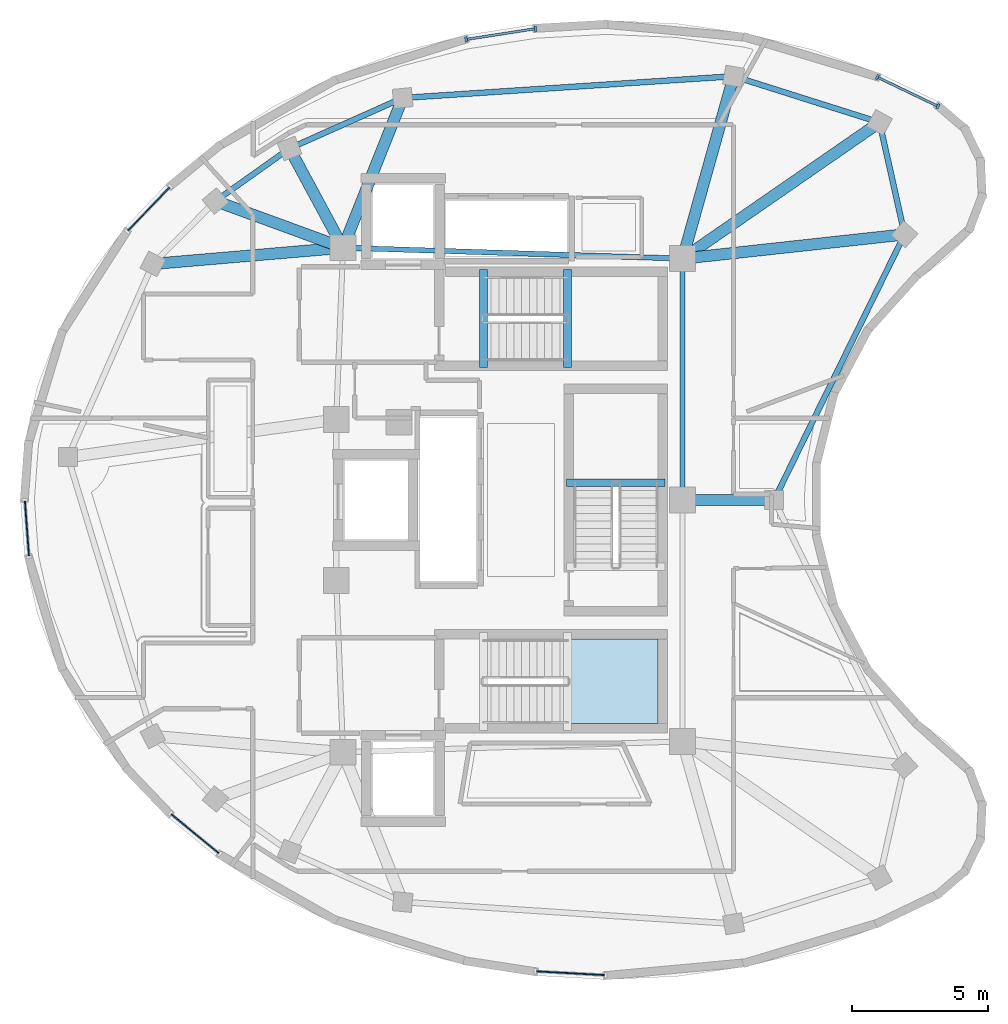
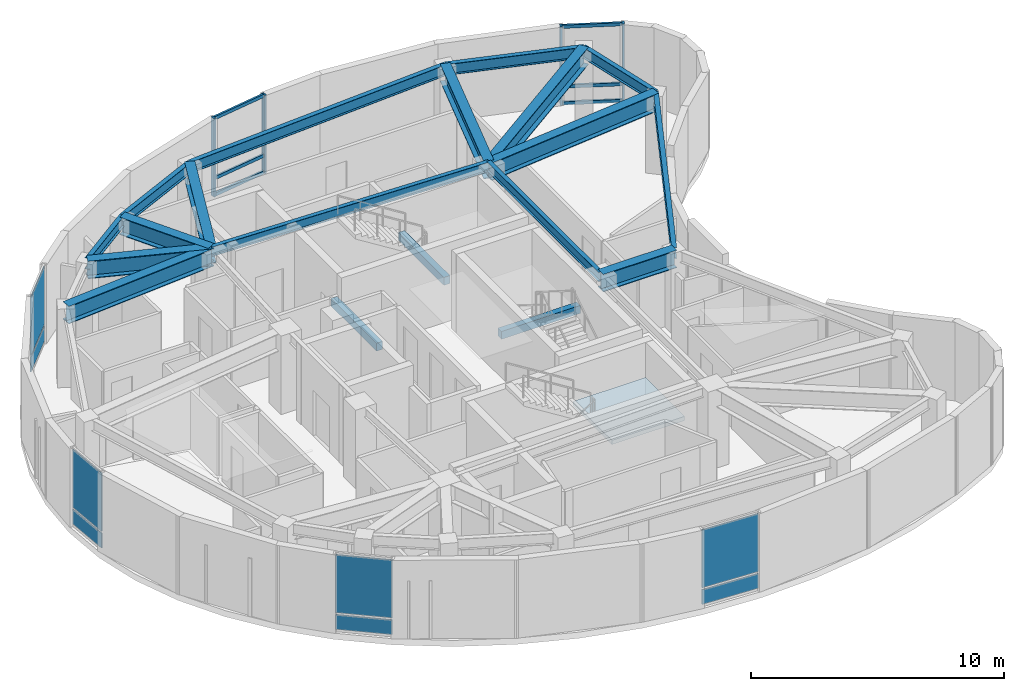
# One storey, part 2 of 8: 19 beams, 10 members, 8 plates, 1 slab, 7 elements without a shape of their own.
"""IFC4 building model written with IfcOpenShell, lengths in metres."""

from ifc_helpers import new_model, si_unit, direction, frame, origin, origin_2d, place, context, subcontext, project, spatial, polyline, rectangle, i_section, outline, extrude, material, layer, layer_set, material_profile, profile_set, type_object, element, aggregate, save


model = new_model("IFC4")

# Units and contexts
model_context = context("Model", 3, precision=1e-05, world=origin(), true_north=direction((0.0, 1.0)))
body_context = subcontext(model_context, "Body", "Model", "MODEL_VIEW")
ifc_project = project(units=[si_unit("LENGTHUNIT", "METRE"), si_unit("AREAUNIT", "SQUARE_METRE"), si_unit("VOLUMEUNIT", "CUBIC_METRE"), si_unit("PLANEANGLEUNIT", "RADIAN"), si_unit("MASSUNIT", "GRAM", prefix="KILO")], contexts=[model_context])

# Site, building, storey
site_placement = place(None, origin())
site = spatial("IfcSite", under=ifc_project, at=site_placement, CompositionType="ELEMENT")
building_placement = place(site_placement, origin())
building = spatial("IfcBuilding", under=site, at=building_placement, Name="Korentha Bioscience Tower", CompositionType="ELEMENT")
storey_placement = place(building_placement, frame((0.0, 0.0, 318.60009765625)))
storey = spatial("IfcBuildingStorey", under=building, at=storey_placement, Name="L73", CompositionType="ELEMENT", Elevation=318.60009765625)

# Beams
ifc_material_1 = material(Name="Concrete C50", Category="concrete")
ifc_material_profile_1 = material_profile(ifc_material_1, rectangle(XDim=0.280029296875, YDim=0.3798828125, at=origin_2d()), Name="Concrete C50")
ifc_profile_set_1 = profile_set([ifc_material_profile_1], Name="Concrete C50 (ST-HB380)")
beam_type_1 = type_object("IfcBeamType", Name="Concrete Stair Header Beam RC 280x380", PredefinedType="BEAM", material=ifc_profile_set_1)
for number, where, z_axis, x_axis, name in (
    (1, (30.25, 31.85009765625, -0.190185546875), (0.0, 1.0, 0.0), (-1.0, 0.0, 0.0), "L73 ST-1 Concrete Stair Header Beam"),
    (2, (33.330078125, 31.85009765625, 1.909912109375), (0.0, 1.0, 0.0), (-1.0, 0.0, 0.0), "L73 ST-1 Half-Landing Header Beam 1"),
    (3, (36.89990234375, 27.6298828125, 1.909912109375), (-1.0, 0.0, 0.0), (0.0, -1.0, 0.0), "L73 ST-3 Half-Landing Header Beam 1"),
):
    element("IfcBeam", number, at=place(storey_placement, frame(where, z_axis=z_axis, x_axis=x_axis)), inside=storey, type_object=beam_type_1, Name=name, PredefinedType="BEAM", context=body_context, shape_type="SweptSolid", body=[
        extrude(rectangle(XDim=0.280029296875, YDim=0.3798828125, at=origin_2d()), origin(), (0.0, 0.0, 1.0), 3.599853515625),
    ])
ifc_material_2 = material(Name="Steel S355", Category="steel")
ifc_material_profile_2 = material_profile(ifc_material_2, i_section(OverallWidth=0.18994140625, OverallDepth=0.45703125, WebThickness=0.009033203125, FlangeThickness=0.014404296875, at=origin_2d()), Name="Steel S355")
ifc_profile_set_2 = profile_set([ifc_material_profile_2], Name="Steel S355 (MB-460)")
beam_type_2 = type_object("IfcBeamType", Name="Mid-Ring Tie Girder W460x74", PredefinedType="BEAM", material=ifc_profile_set_2)
beam_1_placement = place(storey_placement, frame((37.550048828125, 35.85009765625, 3.5615234375), z_axis=(-0.999484526071, 0.032104238723, 0.0), x_axis=(-0.032104238723, -0.999484526071, 0.0)))
element("IfcBeam", 4, at=beam_1_placement, inside=storey, type_object=beam_type_2, Name="L73 Core Ring Tie Girder 01", PredefinedType="BEAM", context=body_context, shape_type="SweptSolid", body=[
    extrude(i_section(OverallWidth=0.18994140625, OverallDepth=0.45703125, WebThickness=0.009033203125, FlangeThickness=0.014404296875, at=origin_2d()), origin(), (0.0, 0.0, 1.0), 12.456298828125),
])
beam_2_placement = place(storey_placement, frame((37.550048828125, 27.0, 3.5615234375), z_axis=(0.0, 1.0, 0.0), x_axis=(-1.0, 0.0, 0.0)))
element("IfcBeam", 5, at=beam_2_placement, inside=storey, type_object=beam_type_2, Name="L73 Core Ring Tie Girder 07", PredefinedType="BEAM", context=body_context, shape_type="SweptSolid", body=[
    extrude(i_section(OverallWidth=0.18994140625, OverallDepth=0.45703125, WebThickness=0.009033203125, FlangeThickness=0.014404296875, at=origin_2d()), origin(), (0.0, 0.0, 1.0), 8.85009765625),
])

# Curtain wall, members
ifc_material_3 = material(Name="Structural Silicone Glazed Aluminium", Category="aluminium")
ifc_layer_1 = layer(ifc_material_3, 0.219970703125, Name="Structural Silicone Glazed Aluminium")
ifc_layer_set_1 = layer_set([ifc_layer_1], Name="Structural Silicone Glazed Aluminium (CW-O1)")
curtain_wall_type = type_object("IfcCurtainWallType", Name="Sky Observatory Acoustic Curtain Wall CW-O1", PredefinedType="USERDEFINED", material=ifc_layer_set_1)
curtain_wall_1_placement = place(storey_placement, origin())
curtain_wall_1 = element("IfcCurtainWall", 6, at=curtain_wall_1_placement, inside=storey, type_object=curtain_wall_type, Name="L73 Curtain Wall 01", ObjectType="UNITISED", PredefinedType="USERDEFINED")
ifc_material_4 = material(Name="Anodised Aluminium 6063-T6", Category="aluminium")
ifc_material_profile_3 = material_profile(ifc_material_4, rectangle(XDim=0.090087890625, YDim=0.199951171875, at=origin_2d()), Name="Anodised Aluminium 6063-T6")
ifc_profile_set_3 = profile_set([ifc_material_profile_3], Name="Anodised Aluminium 6063-T6 (CW-MUL)")
member_type_1 = type_object("IfcMemberType", Name="Mullion RECT 90x200", PredefinedType="MULLION", material=ifc_profile_set_3)
member_1_placement = place(storey_placement, frame((46.914306640625, 41.43408203125, 0.0), z_axis=(0.0, 0.0, 1.0), x_axis=(-0.901523666525, 0.432729798714, 0.0)))
member_1 = element("IfcMember", 7, at=member_1_placement, type_object=member_type_1, Name="CW-L73-01 Mullion 1", PredefinedType="MULLION", context=body_context, shape_type="SweptSolid", body=[
    extrude(rectangle(XDim=0.090087890625, YDim=0.199951171875, at=origin_2d()), origin(), (0.0, 0.0, 1.0), 3.789794921875),
])
member_2_placement = place(storey_placement, frame((44.685791015625, 42.50390625, 0.0), z_axis=(0.0, 0.0, 1.0), x_axis=(-0.901523666525, 0.432729798714, 0.0)))
member_2 = element("IfcMember", 8, at=member_2_placement, type_object=member_type_1, Name="CW-L73-01 Mullion 2", PredefinedType="MULLION", context=body_context, shape_type="SweptSolid", body=[
    extrude(rectangle(XDim=0.090087890625, YDim=0.199951171875, at=origin_2d()), origin(), (0.0, 0.0, 1.0), 3.789794921875),
])

curtain_wall_2_placement = place(storey_placement, origin())
curtain_wall_2 = element("IfcCurtainWall", 9, at=curtain_wall_2_placement, inside=storey, type_object=curtain_wall_type, Name="L73 Curtain Wall 07", ObjectType="UNITISED", PredefinedType="USERDEFINED")
member_3_placement = place(storey_placement, frame((32.155517578125, 44.279296875, 0.0), z_axis=(0.0, 0.0, 1.0), x_axis=(-0.988233672414, -0.152951654805, 0.0)))
member_3 = element("IfcMember", 10, at=member_3_placement, type_object=member_type_1, Name="CW-L73-07 Mullion 1", PredefinedType="MULLION", context=body_context, shape_type="SweptSolid", body=[
    extrude(rectangle(XDim=0.090087890625, YDim=0.199951171875, at=origin_2d()), origin(), (0.0, 0.0, 1.0), 3.789794921875),
])
member_4_placement = place(storey_placement, frame((29.61279296875, 43.8857421875, 0.0), z_axis=(0.0, 0.0, 1.0), x_axis=(-0.988233672414, -0.152951654805, 0.0)))
member_4 = element("IfcMember", 11, at=member_4_placement, type_object=member_type_1, Name="CW-L73-07 Mullion 2", PredefinedType="MULLION", context=body_context, shape_type="SweptSolid", body=[
    extrude(rectangle(XDim=0.090087890625, YDim=0.199951171875, at=origin_2d()), origin(), (0.0, 0.0, 1.0), 3.789794921875),
])

# Beams
ifc_material_profile_4 = material_profile(ifc_material_2, i_section(OverallWidth=0.208984375, OverallDepth=0.532958984375, WebThickness=0.01025390625, FlangeThickness=0.015625, at=origin_2d()), Name="Steel S355")
ifc_profile_set_4 = profile_set([ifc_material_profile_4], Name="Steel S355 (SB-530)")
beam_type_3 = type_object("IfcBeamType", Name="Perimeter Ring Spandrel Girder W530x92", PredefinedType="SPANDREL", material=ifc_profile_set_4)
beam_3_placement = place(storey_placement, frame((44.77099609375, 40.843505859375, 3.5234375), z_axis=(-0.953352242372, 0.301860070171, 0.0), x_axis=(-0.301860070171, -0.953352242372, 0.0)))
element("IfcBeam", 12, at=beam_3_placement, inside=storey, type_object=beam_type_3, Name="L73 Perimeter Spandrel Girder 01", PredefinedType="SPANDREL", context=body_context, shape_type="SweptSolid", body=[
    extrude(i_section(OverallWidth=0.208984375, OverallDepth=0.532958984375, WebThickness=0.01025390625, FlangeThickness=0.015625, at=origin_2d()), origin(), (0.0, 0.0, 1.0), 5.611328125),
])
beam_4_placement = place(storey_placement, frame((39.42138671875, 42.537353515625, 3.5234375), z_axis=(-0.997849615433, -0.065544984396, 0.0), x_axis=(0.065544984396, -0.997849615433, 0.0)))
element("IfcBeam", 13, at=beam_4_placement, inside=storey, type_object=beam_type_3, Name="L73 Perimeter Spandrel Girder 02", PredefinedType="SPANDREL", context=body_context, shape_type="SweptSolid", body=[
    extrude(i_section(OverallWidth=0.208984375, OverallDepth=0.532958984375, WebThickness=0.01025390625, FlangeThickness=0.015625, at=origin_2d()), origin(), (0.0, 0.0, 1.0), 12.161376953125),
])
beam_5_placement = place(storey_placement, frame((27.2861328125, 41.740234375, 3.5234375), z_axis=(-0.913174320366, -0.407569209613, 0.0), x_axis=(0.407569209613, -0.913174320366, 0.0)))
element("IfcBeam", 14, at=beam_5_placement, inside=storey, type_object=beam_type_3, Name="L73 Perimeter Spandrel Girder 03", PredefinedType="SPANDREL", context=body_context, shape_type="SweptSolid", body=[
    extrude(i_section(OverallWidth=0.208984375, OverallDepth=0.532958984375, WebThickness=0.01025390625, FlangeThickness=0.015625, at=origin_2d()), origin(), (0.0, 0.0, 1.0), 4.542236328125),
])
beam_6_placement = place(storey_placement, frame((23.13818359375, 39.888916015625, 3.5234375), z_axis=(-0.815631003844, -0.578572437615, 0.0), x_axis=(0.578572437615, -0.815631003844, 0.0)))
element("IfcBeam", 15, at=beam_6_placement, inside=storey, type_object=beam_type_3, Name="L73 Perimeter Spandrel Girder 04", PredefinedType="SPANDREL", context=body_context, shape_type="SweptSolid", body=[
    extrude(i_section(OverallWidth=0.208984375, OverallDepth=0.532958984375, WebThickness=0.01025390625, FlangeThickness=0.015625, at=origin_2d()), origin(), (0.0, 0.0, 1.0), 3.33056640625),
])
beam_7_placement = place(storey_placement, frame((40.90380859375, 27.0, 3.5234375), z_axis=(0.441009789641, 0.897502292722, 0.0), x_axis=(-0.897502292722, 0.441009789641, 0.0)))
element("IfcBeam", 16, at=beam_7_placement, inside=storey, type_object=beam_type_3, Name="L73 Perimeter Spandrel Girder 15", PredefinedType="SPANDREL", context=body_context, shape_type="SweptSolid", body=[
    extrude(i_section(OverallWidth=0.208984375, OverallDepth=0.532958984375, WebThickness=0.01025390625, FlangeThickness=0.015625, at=origin_2d()), origin(), (0.0, 0.0, 1.0), 10.848876953125),
])
beam_8_placement = place(storey_placement, frame((45.688232421875, 36.73681640625, 3.5234375), z_axis=(-0.21798083403, 0.975953050098, 0.0), x_axis=(-0.975953050098, -0.21798083403, 0.0)))
element("IfcBeam", 17, at=beam_8_placement, inside=storey, type_object=beam_type_3, Name="L73 Perimeter Spandrel Girder 16", PredefinedType="SPANDREL", context=body_context, shape_type="SweptSolid", body=[
    extrude(i_section(OverallWidth=0.208984375, OverallDepth=0.532958984375, WebThickness=0.01025390625, FlangeThickness=0.015625, at=origin_2d()), origin(), (0.0, 0.0, 1.0), 4.207763671875),
])
ifc_material_profile_5 = material_profile(ifc_material_2, i_section(OverallWidth=0.419921875, OverallDepth=0.85009765625, WebThickness=0.01806640625, FlangeThickness=0.031982421875, at=origin_2d()), Name="Steel S355")
ifc_profile_set_5 = profile_set([ifc_material_profile_5], Name="Steel S355 (MB-850)")
beam_type_4 = type_object("IfcBeamType", Name="Plant Heavy Girder CVS 850x315", PredefinedType="BEAM", material=ifc_profile_set_5)
beam_9_placement = place(storey_placement, frame((37.550048828125, 35.85009765625, 3.364990234375), z_axis=(0.822496411979, 0.568770298347, 0.0), x_axis=(-0.568770298347, 0.822496411979, 0.0)))
element("IfcBeam", 18, at=beam_9_placement, inside=storey, type_object=beam_type_4, Name="L73 Radial Girder 01", PredefinedType="BEAM", context=body_context, shape_type="SweptSolid", body=[
    extrude(i_section(OverallWidth=0.419921875, OverallDepth=0.85009765625, WebThickness=0.01806640625, FlangeThickness=0.031982421875, at=origin_2d()), origin(), (0.0, 0.0, 1.0), 8.779296875),
])
beam_10_placement = place(storey_placement, frame((37.550048828125, 35.85009765625, 3.364990234375), z_axis=(0.269483866639, 0.963004904256, 0.0), x_axis=(-0.963004904256, 0.269483866639, 0.0)))
element("IfcBeam", 19, at=beam_10_placement, inside=storey, type_object=beam_type_4, Name="L73 Radial Girder 02", PredefinedType="BEAM", context=body_context, shape_type="SweptSolid", body=[
    extrude(i_section(OverallWidth=0.419921875, OverallDepth=0.85009765625, WebThickness=0.01806640625, FlangeThickness=0.031982421875, at=origin_2d()), origin(), (0.0, 0.0, 1.0), 6.944091796875),
])
beam_11_placement = place(storey_placement, frame((25.10009765625, 36.25, 3.364990234375), z_axis=(0.369922863927, 0.929062470851, 0.0), x_axis=(-0.929062470851, 0.369922863927, 0.0)))
element("IfcBeam", 20, at=beam_11_placement, inside=storey, type_object=beam_type_4, Name="L73 Radial Girder 03", PredefinedType="BEAM", context=body_context, shape_type="SweptSolid", body=[
    extrude(i_section(OverallWidth=0.419921875, OverallDepth=0.85009765625, WebThickness=0.01806640625, FlangeThickness=0.031982421875, at=origin_2d()), origin(), (0.0, 0.0, 1.0), 5.909423828125),
])
beam_12_placement = place(storey_placement, frame((25.10009765625, 36.25, 3.364990234375), z_axis=(-0.474568134662, 0.880218771422, 0.0), x_axis=(-0.880218771422, -0.474568134662, 0.0)))
element("IfcBeam", 21, at=beam_12_placement, inside=storey, type_object=beam_type_4, Name="L73 Radial Girder 04", PredefinedType="BEAM", context=body_context, shape_type="SweptSolid", body=[
    extrude(i_section(OverallWidth=0.419921875, OverallDepth=0.85009765625, WebThickness=0.01806640625, FlangeThickness=0.031982421875, at=origin_2d()), origin(), (0.0, 0.0, 1.0), 4.134033203125),
])
beam_13_placement = place(storey_placement, frame((25.10009765625, 36.25, 3.364990234375), z_axis=(-0.939104724197, 0.34363107687, 0.0), x_axis=(-0.34363107687, -0.939104724197, 0.0)))
element("IfcBeam", 22, at=beam_13_placement, inside=storey, type_object=beam_type_4, Name="L73 Radial Girder 05", PredefinedType="BEAM", context=body_context, shape_type="SweptSolid", body=[
    extrude(i_section(OverallWidth=0.419921875, OverallDepth=0.85009765625, WebThickness=0.01806640625, FlangeThickness=0.031982421875, at=origin_2d()), origin(), (0.0, 0.0, 1.0), 4.98193359375),
])
beam_14_placement = place(storey_placement, frame((25.10009765625, 36.25, 3.364990234375), z_axis=(-0.996384703201, -0.084956007595, 0.0), x_axis=(0.084956007595, -0.996384703201, 0.0)))
element("IfcBeam", 23, at=beam_14_placement, inside=storey, type_object=beam_type_4, Name="L73 Radial Girder 06", PredefinedType="BEAM", context=body_context, shape_type="SweptSolid", body=[
    extrude(i_section(OverallWidth=0.419921875, OverallDepth=0.85009765625, WebThickness=0.01806640625, FlangeThickness=0.031982421875, at=origin_2d()), origin(), (0.0, 0.0, 1.0), 7.00048828125),
])
beam_15_placement = place(storey_placement, frame((37.550048828125, 27.0, 3.364990234375), z_axis=(1.0, 0.0, 0.0), x_axis=(0.0, 1.0, 0.0)))
element("IfcBeam", 24, at=beam_15_placement, inside=storey, type_object=beam_type_4, Name="L73 Radial Girder 15", PredefinedType="BEAM", context=body_context, shape_type="SweptSolid", body=[
    extrude(i_section(OverallWidth=0.419921875, OverallDepth=0.85009765625, WebThickness=0.01806640625, FlangeThickness=0.031982421875, at=origin_2d()), origin(), (0.0, 0.0, 1.0), 3.353759765625),
])
beam_16_placement = place(storey_placement, frame((37.550048828125, 35.85009765625, 3.364990234375), z_axis=(0.994116431558, 0.108316760047, 0.0), x_axis=(-0.108316760047, 0.994116431558, 0.0)))
element("IfcBeam", 25, at=beam_16_placement, inside=storey, type_object=beam_type_4, Name="L73 Radial Girder 16", PredefinedType="BEAM", context=body_context, shape_type="SweptSolid", body=[
    extrude(i_section(OverallWidth=0.419921875, OverallDepth=0.85009765625, WebThickness=0.01806640625, FlangeThickness=0.031982421875, at=origin_2d()), origin(), (0.0, 0.0, 1.0), 8.186279296875),
])

# Member
ifc_material_profile_6 = material_profile(ifc_material_4, rectangle(XDim=0.090087890625, YDim=0.159912109375, at=origin_2d()), Name="Anodised Aluminium 6063-T6")
ifc_profile_set_6 = profile_set([ifc_material_profile_6], Name="Anodised Aluminium 6063-T6 (CW-TRN)")
member_type_2 = type_object("IfcMemberType", Name="Transom RECT 90x160", PredefinedType="USERDEFINED", material=ifc_profile_set_6)
member_5_placement = place(storey_placement, frame((46.873779296875, 41.45361328125, 0.044921875), z_axis=(-0.901526256177, 0.432724403545, 0.0), x_axis=(-0.432724403545, -0.901526256177, 0.0)))
member_5 = element("IfcMember", 26, at=member_5_placement, type_object=member_type_2, Name="CW-L73-01 Bay 1 Transom 1", ObjectType="TRANSOM", PredefinedType="USERDEFINED", context=body_context, shape_type="SweptSolid", body=[
    extrude(rectangle(XDim=0.090087890625, YDim=0.159912109375, at=origin_2d()), origin(), (0.0, 0.0, 1.0), 2.382080078125),
])

member_6_placement = place(storey_placement, frame((46.873779296875, 41.45361328125, 0.849853515625), z_axis=(-0.901526256177, 0.432724403545, 0.0), x_axis=(-0.432724403545, -0.901526256177, 0.0)))
member_6 = element("IfcMember", 27, at=member_6_placement, type_object=member_type_2, Name="CW-L73-01 Bay 1 Transom 2", ObjectType="TRANSOM", PredefinedType="USERDEFINED", context=body_context, shape_type="SweptSolid", body=[
    extrude(rectangle(XDim=0.090087890625, YDim=0.159912109375, at=origin_2d()), origin(), (0.0, 0.0, 1.0), 2.382080078125),
])

member_7_placement = place(storey_placement, frame((46.873779296875, 41.45361328125, 3.744873046875), z_axis=(-0.901526256177, 0.432724403545, 0.0), x_axis=(-0.432724403545, -0.901526256177, 0.0)))
member_7 = element("IfcMember", 28, at=member_7_placement, type_object=member_type_2, Name="CW-L73-01 Bay 1 Transom 3", ObjectType="TRANSOM", PredefinedType="USERDEFINED", context=body_context, shape_type="SweptSolid", body=[
    extrude(rectangle(XDim=0.090087890625, YDim=0.159912109375, at=origin_2d()), origin(), (0.0, 0.0, 1.0), 2.382080078125),
])

aggregate(curtain_wall_1, [member_1, member_2, member_5, member_6, member_7])

member_8_placement = place(storey_placement, frame((32.111083984375, 44.2724609375, 0.044921875), z_axis=(-0.988228039679, -0.15298804395, 0.0), x_axis=(0.15298804395, -0.988228039679, 0.0)))
member_8 = element("IfcMember", 29, at=member_8_placement, type_object=member_type_2, Name="CW-L73-07 Bay 1 Transom 1", ObjectType="TRANSOM", PredefinedType="USERDEFINED", context=body_context, shape_type="SweptSolid", body=[
    extrude(rectangle(XDim=0.090087890625, YDim=0.159912109375, at=origin_2d()), origin(), (0.0, 0.0, 1.0), 2.483154296875),
])

member_9_placement = place(storey_placement, frame((32.111083984375, 44.2724609375, 0.849853515625), z_axis=(-0.988228039679, -0.15298804395, 0.0), x_axis=(0.15298804395, -0.988228039679, 0.0)))
member_9 = element("IfcMember", 30, at=member_9_placement, type_object=member_type_2, Name="CW-L73-07 Bay 1 Transom 2", ObjectType="TRANSOM", PredefinedType="USERDEFINED", context=body_context, shape_type="SweptSolid", body=[
    extrude(rectangle(XDim=0.090087890625, YDim=0.159912109375, at=origin_2d()), origin(), (0.0, 0.0, 1.0), 2.483154296875),
])

member_10_placement = place(storey_placement, frame((32.111083984375, 44.2724609375, 3.744873046875), z_axis=(-0.988228039679, -0.15298804395, 0.0), x_axis=(0.15298804395, -0.988228039679, 0.0)))
member_10 = element("IfcMember", 31, at=member_10_placement, type_object=member_type_2, Name="CW-L73-07 Bay 1 Transom 3", ObjectType="TRANSOM", PredefinedType="USERDEFINED", context=body_context, shape_type="SweptSolid", body=[
    extrude(rectangle(XDim=0.090087890625, YDim=0.159912109375, at=origin_2d()), origin(), (0.0, 0.0, 1.0), 2.483154296875),
])

aggregate(curtain_wall_2, [member_3, member_4, member_8, member_9, member_10])

# Curtain wall, plates
curtain_wall_3_placement = place(storey_placement, origin())
curtain_wall_3 = element("IfcCurtainWall", 32, at=curtain_wall_3_placement, inside=storey, type_object=curtain_wall_type, Name="L73 Curtain Wall 13", ObjectType="UNITISED", PredefinedType="USERDEFINED")
ifc_material_5 = material(Name="Triple-Glazed Low-E Insulated Glass", Category="glass")
ifc_layer_2 = layer(ifc_material_5, 0.0439453125, Name="Triple-Glazed Low-E Insulated Glass")
ifc_layer_set_2 = layer_set([ifc_layer_2], Name="Triple-Glazed Low-E Insulated Glass (GL-44)")
plate_type = type_object("IfcPlateType", Name="Glazed Panel 44mm", PredefinedType="CURTAIN_PANEL", material=ifc_layer_set_2)
plate_1_placement = place(storey_placement, frame((17.976806640625, 37.66748046875, 0.08984375), z_axis=(0.0, 0.0, 1.0), x_axis=(-0.691464110116, -0.722410814164, 0.0)))
plate_1 = element("IfcPlate", 33, at=plate_1_placement, type_object=plate_type, Name="CW-L73-13 Bay 1 Glazed Panel 1", PredefinedType="CURTAIN_PANEL", context=body_context, shape_type="SweptSolid", body=[
    extrude(rectangle(XDim=2.2080078125, YDim=0.0439453125, at=origin_2d()), origin(), (0.0, 0.0, 1.0), 0.715087890625),
])
plate_2_placement = place(storey_placement, frame((17.976806640625, 37.66748046875, 0.89501953125), z_axis=(0.0, 0.0, 1.0), x_axis=(-0.691464110116, -0.722410814164, 0.0)))
plate_2 = element("IfcPlate", 34, at=plate_2_placement, type_object=plate_type, Name="CW-L73-13 Bay 1 Glazed Panel 2", PredefinedType="CURTAIN_PANEL", context=body_context, shape_type="SweptSolid", body=[
    extrude(rectangle(XDim=2.2080078125, YDim=0.0439453125, at=origin_2d()), origin(), (0.0, 0.0, 1.0), 2.804931640625),
])
aggregate(curtain_wall_3, [plate_1, plate_2])

curtain_wall_4_placement = place(storey_placement, origin())
curtain_wall_4 = element("IfcCurtainWall", 35, at=curtain_wall_4_placement, inside=storey, type_object=curtain_wall_type, Name="L73 Curtain Wall 19", ObjectType="UNITISED", PredefinedType="USERDEFINED")
plate_3_placement = place(storey_placement, frame((13.509765625, 25.957275390625, 0.08984375), z_axis=(0.0, 0.0, 1.0), x_axis=(0.073859936969, -0.99726862465, 0.0)))
plate_3 = element("IfcPlate", 36, at=plate_3_placement, type_object=plate_type, Name="CW-L73-19 Bay 1 Glazed Panel 1", PredefinedType="CURTAIN_PANEL", context=body_context, shape_type="SweptSolid", body=[
    extrude(rectangle(XDim=2.0146484375, YDim=0.0439453125, at=origin_2d()), origin(), (0.0, 0.0, 1.0), 0.715087890625),
])
plate_4_placement = place(storey_placement, frame((13.509765625, 25.957275390625, 0.89501953125), z_axis=(0.0, 0.0, 1.0), x_axis=(0.073859936969, -0.99726862465, 0.0)))
plate_4 = element("IfcPlate", 37, at=plate_4_placement, type_object=plate_type, Name="CW-L73-19 Bay 1 Glazed Panel 2", PredefinedType="CURTAIN_PANEL", context=body_context, shape_type="SweptSolid", body=[
    extrude(rectangle(XDim=2.0146484375, YDim=0.0439453125, at=origin_2d()), origin(), (0.0, 0.0, 1.0), 2.804931640625),
])
aggregate(curtain_wall_4, [plate_3, plate_4])

curtain_wall_5_placement = place(storey_placement, origin())
curtain_wall_5 = element("IfcCurtainWall", 38, at=curtain_wall_5_placement, inside=storey, type_object=curtain_wall_type, Name="L73 Curtain Wall 25", ObjectType="UNITISED", PredefinedType="USERDEFINED")
plate_5_placement = place(storey_placement, frame((19.675537109375, 14.76220703125, 0.08984375), z_axis=(0.0, 0.0, 1.0), x_axis=(0.773456171637, -0.633849785483, 0.0)))
plate_5 = element("IfcPlate", 39, at=plate_5_placement, type_object=plate_type, Name="CW-L73-25 Bay 1 Glazed Panel 1", PredefinedType="CURTAIN_PANEL", context=body_context, shape_type="SweptSolid", body=[
    extrude(rectangle(XDim=2.26611328125, YDim=0.0439453125, at=origin_2d()), origin(), (0.0, 0.0, 1.0), 0.715087890625),
])
plate_6_placement = place(storey_placement, frame((19.675537109375, 14.76220703125, 0.89501953125), z_axis=(0.0, 0.0, 1.0), x_axis=(0.773456171637, -0.633849785483, 0.0)))
plate_6 = element("IfcPlate", 40, at=plate_6_placement, type_object=plate_type, Name="CW-L73-25 Bay 1 Glazed Panel 2", PredefinedType="CURTAIN_PANEL", context=body_context, shape_type="SweptSolid", body=[
    extrude(rectangle(XDim=2.26611328125, YDim=0.0439453125, at=origin_2d()), origin(), (0.0, 0.0, 1.0), 2.804931640625),
])
aggregate(curtain_wall_5, [plate_5, plate_6])

curtain_wall_6_placement = place(storey_placement, origin())
curtain_wall_6 = element("IfcCurtainWall", 41, at=curtain_wall_6_placement, inside=storey, type_object=curtain_wall_type, Name="L73 Curtain Wall 31", ObjectType="UNITISED", PredefinedType="USERDEFINED")
plate_7_placement = place(storey_placement, frame((33.44091796875, 9.64990234375, 0.08984375), z_axis=(0.0, 0.0, 1.0), x_axis=(0.998475949486, -0.055188570363, 0.0)))
plate_7 = element("IfcPlate", 42, at=plate_7_placement, type_object=plate_type, Name="CW-L73-31 Bay 1 Glazed Panel 1", PredefinedType="CURTAIN_PANEL", context=body_context, shape_type="SweptSolid", body=[
    extrude(rectangle(XDim=2.496337890625, YDim=0.0439453125, at=origin_2d()), origin(), (0.0, 0.0, 1.0), 0.715087890625),
])
plate_8_placement = place(storey_placement, frame((33.44091796875, 9.64990234375, 0.89501953125), z_axis=(0.0, 0.0, 1.0), x_axis=(0.998475949486, -0.055188570363, 0.0)))
plate_8 = element("IfcPlate", 43, at=plate_8_placement, type_object=plate_type, Name="CW-L73-31 Bay 1 Glazed Panel 2", PredefinedType="CURTAIN_PANEL", context=body_context, shape_type="SweptSolid", body=[
    extrude(rectangle(XDim=2.496337890625, YDim=0.0439453125, at=origin_2d()), origin(), (0.0, 0.0, 1.0), 2.804931640625),
])
aggregate(curtain_wall_6, [plate_7, plate_8])

# Stair, slab
ifc_material_6 = material(Name="Precast Concrete C50", Category="concrete")
stair_type = type_object("IfcStairType", Name="Core Exit Dog-Leg Stair 1450", PredefinedType="HALF_TURN_STAIR", material=ifc_material_6)
stair_placement = place(storey_placement, origin())
stair = element("IfcStair", 44, at=stair_placement, inside=storey, type_object=stair_type, Name="L73 Tower South Pressurized Exit Stair ST-2", PredefinedType="HALF_TURN_STAIR")
ifc_layer_3 = layer(ifc_material_1, 0.199951171875, Name="Concrete C50")
ifc_layer_set_3 = layer_set([ifc_layer_3], Name="Concrete C50 (SL-LND)")
slab_type = type_object("IfcSlabType", Name="Landing Slab 200", PredefinedType="LANDING", material=ifc_layer_set_3)
slab_placement = place(storey_placement, frame((0.0, 0.0, 1.89990234375)))
slab = element("IfcSlab", 45, at=slab_placement, type_object=slab_type, Name="ST-2 landing 1", PredefinedType="LANDING", context=body_context, shape_type="SweptSolid", body=[
    extrude(outline(polyline([(33.330078125, 18.800048828125), (36.64990234375, 18.800048828125), (36.64990234375, 21.89990234375), (33.330078125, 21.89990234375), (33.330078125, 18.800048828125)])), origin(), (0.0, 0.0, 1.0), 0.199951171875),
])
aggregate(stair, [slab])

save(model, "model.ifc")
